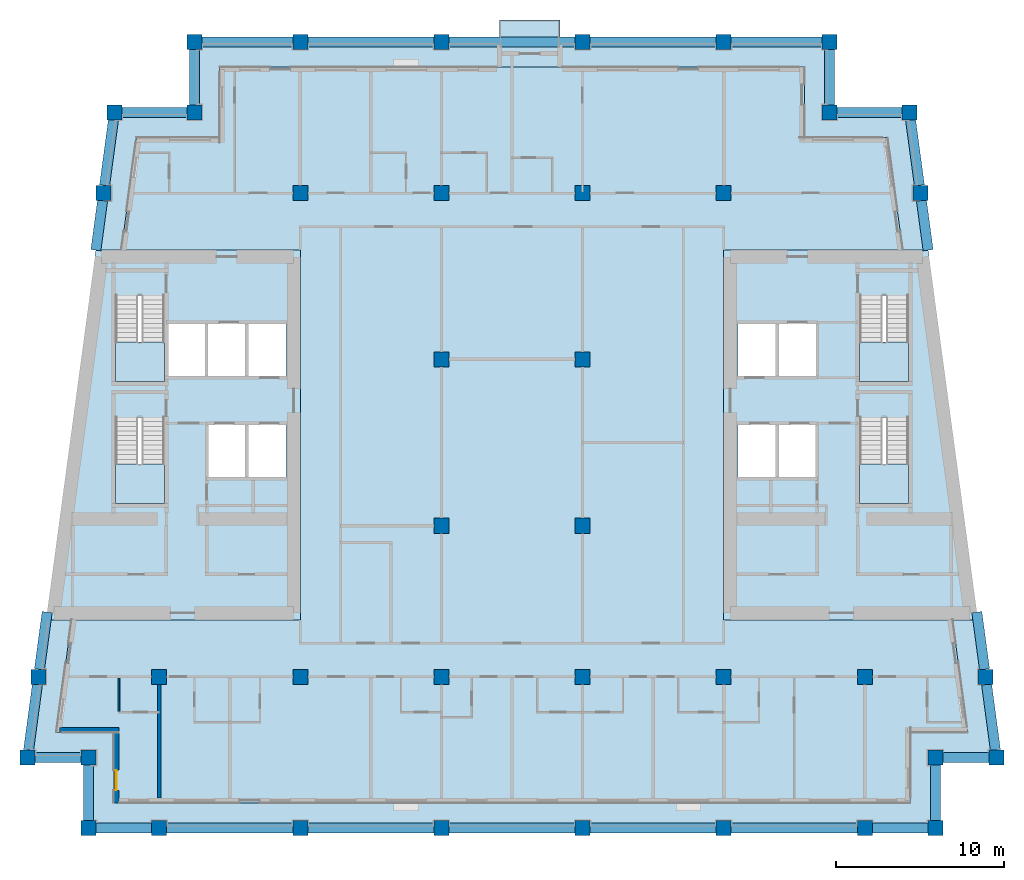
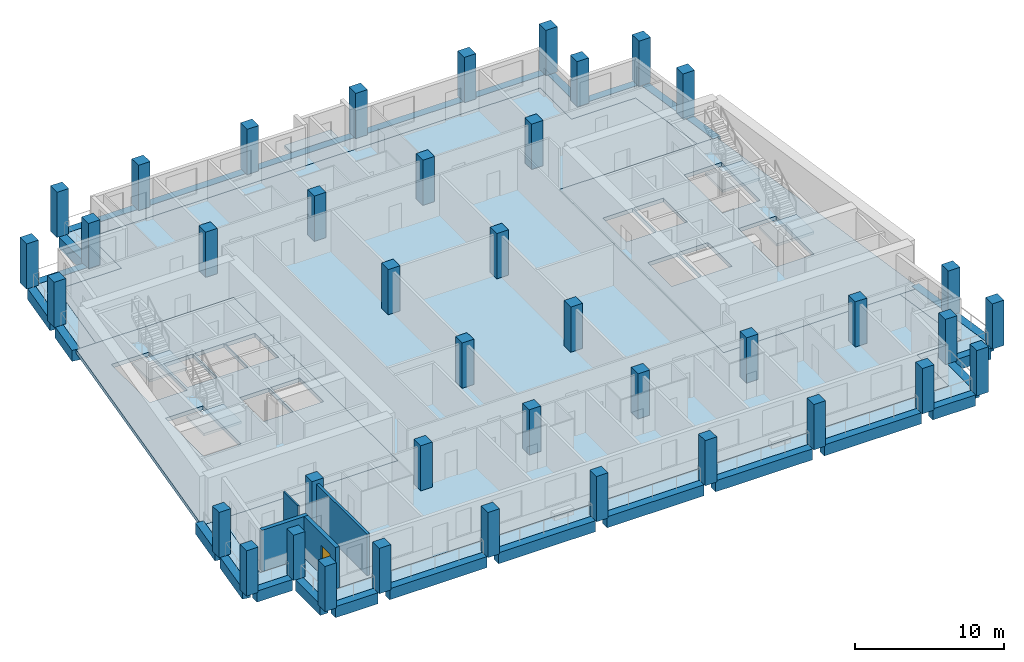
# One storey, part 1 of 12: 40 columns, 28 beams, 10 slabs, 4 walls, 1 door, 1 opening, 4 elements without a shape of their own.
"""IFC4 building model written with IfcOpenShell, lengths in metres."""

from ifc_helpers import new_model, si_unit, direction, frame, frame_2d, origin, origin_2d, place, context, subcontext, project, spatial, polyline, rectangle, outline, extrude, material, layer, layer_set, material_profile, profile_set, type_object, element, fill, aggregate, save


model = new_model("IFC4")

# Units and contexts
model_context = context("Model", 3, precision=1e-05, world=origin(), true_north=direction((0.0, 1.0)))
body_context = subcontext(model_context, "Body", "Model", "MODEL_VIEW")
ifc_project = project(units=[si_unit("LENGTHUNIT", "METRE"), si_unit("AREAUNIT", "SQUARE_METRE"), si_unit("VOLUMEUNIT", "CUBIC_METRE"), si_unit("PLANEANGLEUNIT", "RADIAN"), si_unit("MASSUNIT", "GRAM", prefix="KILO")], contexts=[model_context])

# Site, building, storey
site_placement = place(None, origin())
site = spatial("IfcSite", under=ifc_project, at=site_placement, CompositionType="ELEMENT")
building_placement = place(site_placement, origin())
building = spatial("IfcBuilding", under=site, at=building_placement, Name="Candeia Pilgrim Tower and Theatre", CompositionType="ELEMENT")
storey_placement = place(building_placement, frame((0.0, 0.0, 213.300048828125)))
storey = spatial("IfcBuildingStorey", under=building, at=storey_placement, Name="L51", CompositionType="ELEMENT", Elevation=213.300048828125)

# Columns
ifc_material_1 = material(Name="Concrete C50/60", Category="concrete")
ifc_material_profile_1 = material_profile(ifc_material_1, rectangle(XDim=0.89990234375, YDim=0.89990234375, at=origin_2d()))
ifc_profile_set_1 = profile_set([ifc_material_profile_1], Name="Concrete C50/60")
column_type = type_object("IfcColumnType", Name="RC 900x900 C50/60", PredefinedType="COLUMN", material=ifc_profile_set_1)
for number, where, z_axis, x_axis, name in (
    (1, (92.39990234375, 98.0, 0.0), (0.0, 0.0, 1.0), (1.0, 0.0, 0.0), "Column A1"),
    (2, (100.800048828125, 98.0, 0.0), (0.0, 0.0, 1.0), (1.0, 0.0, 0.0), "Column A2"),
    (3, (109.199951171875, 98.0, 0.0), (0.0, 0.0, 1.0), (1.0, 0.0, 0.0), "Column A3"),
    (4, (117.60009765625, 98.0, 0.0), (0.0, 0.0, 1.0), (1.0, 0.0, 0.0), "Column A4"),
    (5, (126.0, 98.0, 0.0), (0.0, 0.0, 1.0), (1.0, 0.0, 0.0), "Column A5"),
    (6, (134.39990234375, 98.0, 0.0), (0.0, 0.0, 1.0), (1.0, 0.0, 0.0), "Column A6"),
    (7, (88.199951171875, 98.0, 0.0), (0.0, 0.0, 1.0), (1.0, 0.0, 0.0), "Column AW"),
    (8, (138.60009765625, 98.0, 0.0), (0.0, 0.0, 1.0), (1.0, 0.0, 0.0), "Column AE"),
    (9, (88.199951171875, 102.199951171875, 0.0), (0.0, 0.0, 1.0), (1.0, 0.0, 0.0), "Column NSW"),
    (10, (138.60009765625, 102.199951171875, 0.0), (0.0, 0.0, 1.0), (1.0, 0.0, 0.0), "Column NSE"),
    (11, (94.5, 140.60009765625, 0.0), (0.0, 0.0, 1.0), (1.0, 0.0, 0.0), "Column NNW"),
    (12, (132.300048828125, 140.60009765625, 0.0), (0.0, 0.0, 1.0), (1.0, 0.0, 0.0), "Column NNE"),
    (13, (84.5654296875, 102.199951171875, 0.0), (0.0, 0.0, 1.0), (1.0, 0.0, 0.0), "Column LSW"),
    (14, (142.234619140625, 102.199951171875, 0.0), (0.0, 0.0, 1.0), (1.0, 0.0, 0.0), "Column LSE"),
    (15, (89.734619140625, 140.60009765625, 0.0), (0.0, 0.0, 1.0), (1.0, 0.0, 0.0), "Column LNW"),
    (16, (137.0654296875, 140.60009765625, 0.0), (0.0, 0.0, 1.0), (1.0, 0.0, 0.0), "Column LNE"),
    (17, (92.39990234375, 107.0, 0.0), (0.0, 0.0, 1.0), (1.0, 0.0, 0.0), "Column B1"),
    (18, (100.800048828125, 107.0, 0.0), (0.0, 0.0, 1.0), (1.0, 0.0, 0.0), "Column B2"),
    (19, (109.199951171875, 107.0, 0.0), (0.0, 0.0, 1.0), (1.0, 0.0, 0.0), "Column B3"),
    (20, (117.60009765625, 107.0, 0.0), (0.0, 0.0, 1.0), (1.0, 0.0, 0.0), "Column B4"),
    (21, (126.0, 107.0, 0.0), (0.0, 0.0, 1.0), (1.0, 0.0, 0.0), "Column B5"),
    (22, (134.39990234375, 107.0, 0.0), (0.0, 0.0, 1.0), (1.0, 0.0, 0.0), "Column B6"),
    (23, (85.21142578125, 107.0, 0.0), (0.0, 0.0, 1.0), (1.0, 0.0, 0.0), "Column BW"),
    (24, (141.58837890625, 107.0, 0.0), (0.0, 0.0, 1.0), (1.0, 0.0, 0.0), "Column BE"),
    (25, (109.199951171875, 116.0, 0.0), (0.0, 0.0, 1.0), (1.0, 0.0, 0.0), "Column C3"),
    (26, (117.60009765625, 116.0, 0.0), (0.0, 0.0, 1.0), (1.0, 0.0, 0.0), "Column C4"),
    (27, (109.199951171875, 125.89990234375, 0.0), (0.0, 0.0, 1.0), (1.0, 0.0, 0.0), "Column D3"),
    (28, (117.60009765625, 125.89990234375, 0.0), (0.0, 0.0, 1.0), (1.0, 0.0, 0.0), "Column D4"),
    (29, (100.800048828125, 135.800048828125, 0.0), (0.0, 0.0, 1.0), (1.0, 0.0, 0.0), "Column E2"),
    (30, (109.199951171875, 135.800048828125, 0.0), (0.0, 0.0, 1.0), (1.0, 0.0, 0.0), "Column E3"),
    (31, (117.60009765625, 135.800048828125, 0.0), (0.0, 0.0, 1.0), (1.0, 0.0, 0.0), "Column E4"),
    (32, (126.0, 135.800048828125, 0.0), (0.0, 0.0, 1.0), (1.0, 0.0, 0.0), "Column E5"),
    (33, (89.08837890625, 135.800048828125, 0.0), (0.0, 0.0, 1.0), (1.0, 0.0, 0.0), "Column EW"),
    (34, (137.71142578125, 135.800048828125, 0.0), (0.0, 0.0, 1.0), (1.0, 0.0, 0.0), "Column EE"),
    (35, (100.800048828125, 144.800048828125, 0.0), (0.0, 0.0, 1.0), (1.0, 0.0, 0.0), "Column F2"),
    (36, (109.199951171875, 144.800048828125, 0.0), (0.0, 0.0, 1.0), (1.0, 0.0, 0.0), "Column F3"),
    (37, (117.60009765625, 144.800048828125, 0.0), (0.0, 0.0, 1.0), (1.0, 0.0, 0.0), "Column F4"),
    (38, (126.0, 144.800048828125, 0.0), (0.0, 0.0, 1.0), (1.0, 0.0, 0.0), "Column F5"),
    (39, (94.5, 144.800048828125, 0.0), (0.0, 0.0, 1.0), (1.0, 0.0, 0.0), "Column FW"),
    (40, (132.300048828125, 144.800048828125, 0.0), (0.0, 0.0, 1.0), (1.0, 0.0, 0.0), "Column FE"),
):
    element("IfcColumn", number, at=place(storey_placement, frame(where, z_axis=z_axis, x_axis=x_axis)), inside=storey, type_object=column_type, Name=name, PredefinedType="COLUMN", context=body_context, shape_type="SweptSolid", body=[
        extrude(rectangle(XDim=0.89990234375, YDim=0.89990234375, at=origin_2d()), origin(), (0.0, 0.0, 1.0), 3.699951171875),
    ])

# Beams
ifc_material_profile_2 = material_profile(ifc_material_1, rectangle(XDim=0.60009765625, YDim=0.89990234375, at=origin_2d()))
ifc_profile_set_2 = profile_set([ifc_material_profile_2], Name="Concrete C50/60")
beam_type = type_object("IfcBeamType", Name="RC 600x900 C50/60", PredefinedType="BEAM", material=ifc_profile_set_2)
beam_1_placement = place(storey_placement, frame((88.64990234375, 98.0, -0.449951171875), z_axis=(1.0, 0.0, 0.0), x_axis=(0.0, 1.0, 0.0)))
element("IfcBeam", 41, at=beam_1_placement, inside=storey, type_object=beam_type, Name="Spandrel beam L51-01", PredefinedType="BEAM", context=body_context, shape_type="SweptSolid", body=[
    extrude(rectangle(XDim=0.60009765625, YDim=0.89990234375, at=origin_2d()), origin(), (0.0, 0.0, 1.0), 3.300048828125),
])
for number, where, z_axis, x_axis, name in (
    (42, (92.85009765625, 98.0, -0.449951171875), (1.0, 0.0, 0.0), (0.0, 1.0, 0.0), "Spandrel beam L51-02"),
    (43, (101.25, 98.0, -0.449951171875), (1.0, 0.0, 0.0), (0.0, 1.0, 0.0), "Spandrel beam L51-03"),
    (44, (109.64990234375, 98.0, -0.449951171875), (1.0, 0.0, 0.0), (0.0, 1.0, 0.0), "Spandrel beam L51-04"),
    (45, (118.050048828125, 98.0, -0.449951171875), (1.0, 0.0, 0.0), (0.0, 1.0, 0.0), "Spandrel beam L51-05"),
    (46, (126.449951171875, 98.0, -0.449951171875), (1.0, 0.0, 0.0), (0.0, 1.0, 0.0), "Spandrel beam L51-06"),
):
    element("IfcBeam", number, at=place(storey_placement, frame(where, z_axis=z_axis, x_axis=x_axis)), inside=storey, type_object=beam_type, Name=name, PredefinedType="BEAM", context=body_context, shape_type="SweptSolid", body=[
        extrude(rectangle(XDim=0.60009765625, YDim=0.89990234375, at=origin_2d()), origin(), (0.0, 0.0, 1.0), 7.5),
    ])
beam_2_placement = place(storey_placement, frame((134.85009765625, 98.0, -0.449951171875), z_axis=(1.0, 0.0, 0.0), x_axis=(0.0, 1.0, 0.0)))
element("IfcBeam", 47, at=beam_2_placement, inside=storey, type_object=beam_type, Name="Spandrel beam L51-07", PredefinedType="BEAM", context=body_context, shape_type="SweptSolid", body=[
    extrude(rectangle(XDim=0.60009765625, YDim=0.89990234375, at=origin_2d()), origin(), (0.0, 0.0, 1.0), 3.2998046875),
])
beam_3_placement = place(storey_placement, frame((138.60009765625, 98.449951171875, -0.449951171875), z_axis=(0.0, 1.0, 0.0), x_axis=(-1.0, 0.0, 0.0)))
element("IfcBeam", 48, at=beam_3_placement, inside=storey, type_object=beam_type, Name="Spandrel beam L51-08", PredefinedType="BEAM", context=body_context, shape_type="SweptSolid", body=[
    extrude(rectangle(XDim=0.60009765625, YDim=0.89990234375, at=origin_2d()), origin(), (0.0, 0.0, 1.0), 3.300048828125),
])
beam_4_placement = place(storey_placement, frame((139.050048828125, 102.199951171875, -0.449951171875), z_axis=(1.0, 0.0, 0.0), x_axis=(0.0, 1.0, 0.0)))
element("IfcBeam", 49, at=beam_4_placement, inside=storey, type_object=beam_type, Name="Spandrel beam L51-09", PredefinedType="BEAM", context=body_context, shape_type="SweptSolid", body=[
    extrude(rectangle(XDim=0.60009765625, YDim=0.89990234375, at=origin_2d()), origin(), (0.0, 0.0, 1.0), 2.734619140625),
])
beam_5_placement = place(storey_placement, frame((142.174072265625, 102.64990234375, -0.449951171875), z_axis=(-0.133443650757, 0.991056402064, 0.0), x_axis=(-0.991056402064, -0.133443650757, 0.0)))
element("IfcBeam", 50, at=beam_5_placement, inside=storey, type_object=beam_type, Name="Spandrel beam L51-10", PredefinedType="BEAM", context=body_context, shape_type="SweptSolid", body=[
    extrude(rectangle(XDim=0.60009765625, YDim=0.89990234375, at=origin_2d()), origin(), (0.0, 0.0, 1.0), 3.935302734375),
])
beam_6_placement = place(storey_placement, frame((141.52783203125, 107.449951171875, -0.449951171875), z_axis=(-0.133374411439, 0.99106572253, 0.0), x_axis=(-0.99106572253, -0.133374411439, 0.0)))
element("IfcBeam", 51, at=beam_6_placement, inside=storey, type_object=beam_type, Name="Spandrel beam L51-11", PredefinedType="BEAM", context=body_context, shape_type="SweptSolid", body=[
    extrude(rectangle(XDim=0.60009765625, YDim=0.89990234375, at=origin_2d()), origin(), (0.0, 0.0, 1.0), 3.43408203125),
])
beam_7_placement = place(storey_placement, frame((138.169189453125, 132.39990234375, -0.449951171875), z_axis=(-0.133356242983, 0.991068167412, 0.0), x_axis=(-0.991068167412, -0.133356242983, 0.0)))
element("IfcBeam", 52, at=beam_7_placement, inside=storey, type_object=beam_type, Name="Spandrel beam L51-12", PredefinedType="BEAM", context=body_context, shape_type="SweptSolid", body=[
    extrude(rectangle(XDim=0.60009765625, YDim=0.89990234375, at=origin_2d()), origin(), (0.0, 0.0, 1.0), 2.976806640625),
])
beam_8_placement = place(storey_placement, frame((137.65087890625, 136.25, -0.449951171875), z_axis=(-0.133390918184, 0.991063500965, 0.0), x_axis=(-0.991063500965, -0.133390918184, 0.0)))
element("IfcBeam", 53, at=beam_8_placement, inside=storey, type_object=beam_type, Name="Spandrel beam L51-13", PredefinedType="BEAM", context=body_context, shape_type="SweptSolid", body=[
    extrude(rectangle(XDim=0.60009765625, YDim=0.89990234375, at=origin_2d()), origin(), (0.0, 0.0, 1.0), 3.93505859375),
])
beam_9_placement = place(storey_placement, frame((136.615478515625, 140.60009765625, -0.449951171875), z_axis=(-1.0, 0.0, 0.0), x_axis=(0.0, -1.0, 0.0)))
element("IfcBeam", 54, at=beam_9_placement, inside=storey, type_object=beam_type, Name="Spandrel beam L51-14", PredefinedType="BEAM", context=body_context, shape_type="SweptSolid", body=[
    extrude(rectangle(XDim=0.60009765625, YDim=0.89990234375, at=origin_2d()), origin(), (0.0, 0.0, 1.0), 3.865478515625),
])
beam_10_placement = place(storey_placement, frame((132.300048828125, 141.050048828125, -0.449951171875), z_axis=(0.0, 1.0, 0.0), x_axis=(-1.0, 0.0, 0.0)))
element("IfcBeam", 55, at=beam_10_placement, inside=storey, type_object=beam_type, Name="Spandrel beam L51-15", PredefinedType="BEAM", context=body_context, shape_type="SweptSolid", body=[
    extrude(rectangle(XDim=0.60009765625, YDim=0.89990234375, at=origin_2d()), origin(), (0.0, 0.0, 1.0), 3.300048828125),
])
beam_11_placement = place(storey_placement, frame((131.85009765625, 144.800048828125, -0.449951171875), z_axis=(-1.0, 0.0, 0.0), x_axis=(0.0, -1.0, 0.0)))
element("IfcBeam", 56, at=beam_11_placement, inside=storey, type_object=beam_type, Name="Spandrel beam L51-16", PredefinedType="BEAM", context=body_context, shape_type="SweptSolid", body=[
    extrude(rectangle(XDim=0.60009765625, YDim=0.89990234375, at=origin_2d()), origin(), (0.0, 0.0, 1.0), 5.400146484375),
])
for number, where, z_axis, x_axis, name in (
    (57, (125.550048828125, 144.800048828125, -0.449951171875), (-1.0, 0.0, 0.0), (0.0, -1.0, 0.0), "Spandrel beam L51-17"),
    (58, (117.14990234375, 144.800048828125, -0.449951171875), (-1.0, 0.0, 0.0), (0.0, -1.0, 0.0), "Spandrel beam L51-18"),
    (59, (108.75, 144.800048828125, -0.449951171875), (-1.0, 0.0, 0.0), (0.0, -1.0, 0.0), "Spandrel beam L51-19"),
):
    element("IfcBeam", number, at=place(storey_placement, frame(where, z_axis=z_axis, x_axis=x_axis)), inside=storey, type_object=beam_type, Name=name, PredefinedType="BEAM", context=body_context, shape_type="SweptSolid", body=[
        extrude(rectangle(XDim=0.60009765625, YDim=0.89990234375, at=origin_2d()), origin(), (0.0, 0.0, 1.0), 7.5),
    ])
beam_12_placement = place(storey_placement, frame((100.35009765625, 144.800048828125, -0.449951171875), z_axis=(-1.0, 0.0, 0.0), x_axis=(0.0, -1.0, 0.0)))
element("IfcBeam", 60, at=beam_12_placement, inside=storey, type_object=beam_type, Name="Spandrel beam L51-20", PredefinedType="BEAM", context=body_context, shape_type="SweptSolid", body=[
    extrude(rectangle(XDim=0.60009765625, YDim=0.89990234375, at=origin_2d()), origin(), (0.0, 0.0, 1.0), 5.400146484375),
])
beam_13_placement = place(storey_placement, frame((94.5, 144.35009765625, -0.449951171875), z_axis=(0.0, -1.0, 0.0), x_axis=(1.0, 0.0, 0.0)))
element("IfcBeam", 61, at=beam_13_placement, inside=storey, type_object=beam_type, Name="Spandrel beam L51-21", PredefinedType="BEAM", context=body_context, shape_type="SweptSolid", body=[
    extrude(rectangle(XDim=0.60009765625, YDim=0.89990234375, at=origin_2d()), origin(), (0.0, 0.0, 1.0), 3.300048828125),
])
beam_14_placement = place(storey_placement, frame((94.050048828125, 140.60009765625, -0.449951171875), z_axis=(-1.0, 0.0, 0.0), x_axis=(0.0, -1.0, 0.0)))
element("IfcBeam", 62, at=beam_14_placement, inside=storey, type_object=beam_type, Name="Spandrel beam L51-22", PredefinedType="BEAM", context=body_context, shape_type="SweptSolid", body=[
    extrude(rectangle(XDim=0.60009765625, YDim=0.89990234375, at=origin_2d()), origin(), (0.0, 0.0, 1.0), 3.865478515625),
])
beam_15_placement = place(storey_placement, frame((89.674072265625, 140.14990234375, -0.449951171875), z_axis=(-0.133451855788, -0.99105529724, 0.0), x_axis=(0.99105529724, -0.133451855788, 0.0)))
element("IfcBeam", 63, at=beam_15_placement, inside=storey, type_object=beam_type, Name="Spandrel beam L51-23", PredefinedType="BEAM", context=body_context, shape_type="SweptSolid", body=[
    extrude(rectangle(XDim=0.60009765625, YDim=0.89990234375, at=origin_2d()), origin(), (0.0, 0.0, 1.0), 3.93505859375),
])
beam_16_placement = place(storey_placement, frame((89.02783203125, 135.35009765625, -0.449951171875), z_axis=(-0.133356242983, -0.991068167412, 0.0), x_axis=(0.991068167412, -0.133356242983, 0.0)))
element("IfcBeam", 64, at=beam_16_placement, inside=storey, type_object=beam_type, Name="Spandrel beam L51-24", PredefinedType="BEAM", context=body_context, shape_type="SweptSolid", body=[
    extrude(rectangle(XDim=0.60009765625, YDim=0.89990234375, at=origin_2d()), origin(), (0.0, 0.0, 1.0), 2.976806640625),
])
beam_17_placement = place(storey_placement, frame((85.730224609375, 110.853271484375, -0.449951171875), z_axis=(-0.133374411439, -0.99106572253, 0.0), x_axis=(0.99106572253, -0.133374411439, 0.0)))
element("IfcBeam", 65, at=beam_17_placement, inside=storey, type_object=beam_type, Name="Spandrel beam L51-25", PredefinedType="BEAM", context=body_context, shape_type="SweptSolid", body=[
    extrude(rectangle(XDim=0.60009765625, YDim=0.89990234375, at=origin_2d()), origin(), (0.0, 0.0, 1.0), 3.43408203125),
])
beam_18_placement = place(storey_placement, frame((85.15087890625, 106.550048828125, -0.449951171875), z_axis=(-0.133382716764, -0.991064604791, 0.0), x_axis=(0.991064604791, -0.133382716764, 0.0)))
element("IfcBeam", 66, at=beam_18_placement, inside=storey, type_object=beam_type, Name="Spandrel beam L51-26", PredefinedType="BEAM", context=body_context, shape_type="SweptSolid", body=[
    extrude(rectangle(XDim=0.60009765625, YDim=0.89990234375, at=origin_2d()), origin(), (0.0, 0.0, 1.0), 3.935302734375),
])
beam_19_placement = place(storey_placement, frame((85.015380859375, 102.199951171875, -0.449951171875), z_axis=(1.0, 0.0, 0.0), x_axis=(0.0, 1.0, 0.0)))
element("IfcBeam", 67, at=beam_19_placement, inside=storey, type_object=beam_type, Name="Spandrel beam L51-27", PredefinedType="BEAM", context=body_context, shape_type="SweptSolid", body=[
    extrude(rectangle(XDim=0.60009765625, YDim=0.89990234375, at=origin_2d()), origin(), (0.0, 0.0, 1.0), 2.734619140625),
])
beam_20_placement = place(storey_placement, frame((88.199951171875, 101.75, -0.449951171875), z_axis=(0.0, -1.0, 0.0), x_axis=(1.0, 0.0, 0.0)))
element("IfcBeam", 68, at=beam_20_placement, inside=storey, type_object=beam_type, Name="Spandrel beam L51-28", PredefinedType="BEAM", context=body_context, shape_type="SweptSolid", body=[
    extrude(rectangle(XDim=0.60009765625, YDim=0.89990234375, at=origin_2d()), origin(), (0.0, 0.0, 1.0), 3.300048828125),
])

# Slabs
ifc_material_2 = material(Name="Concrete C40/50", Category="concrete")
ifc_layer_1 = layer(ifc_material_2, 0.25)
ifc_layer_set_1 = layer_set([ifc_layer_1], Name="BK1 balcony slab 250")
slab_type_1 = type_object("IfcSlabType", Name="BK1 balcony slab 250", PredefinedType="USERDEFINED", material=ifc_layer_set_1)
slab_1_placement = place(storey_placement, frame((0.0, 0.0, -0.25)))
element("IfcSlab", 69, at=slab_1_placement, inside=storey, type_object=slab_type_1, Name="Balcony L51", ObjectType="BALCONY", PredefinedType="USERDEFINED", context=body_context, shape_type="SweptSolid", body=[
    extrude(outline(polyline([(112.64990234375, 144.5), (116.25, 144.5), (116.25, 146.10009765625), (112.64990234375, 146.10009765625), (112.64990234375, 144.5)])), origin(), (0.0, 0.0, 1.0), 0.25),
])
ifc_material_3 = material(Name="Concrete C60/75", Category="concrete")
ifc_layer_2 = layer(ifc_material_3, 0.320068359375)
ifc_layer_set_2 = layer_set([ifc_layer_2], Name="FS-CORE 320 core floor")
slab_type_2 = type_object("IfcSlabType", Name="FS-CORE 320 core floor", PredefinedType="FLOOR", material=ifc_layer_set_2)
slab_2_placement = place(storey_placement, frame((0.0, 0.0, -0.320068359375)))
element("IfcSlab", 70, at=slab_2_placement, inside=storey, type_object=slab_type_2, Name="Core floor W L51", PredefinedType="FLOOR", context=body_context, shape_type="SweptSolid", body=[
    extrude(outline(polyline([(100.800048828125, 132.39990234375), (100.800048828125, 110.39990234375), (85.669189453125, 110.39990234375), (88.630859375, 132.39990234375), (100.800048828125, 132.39990234375)]), holes=[polyline([(97.658935546875, 128.050048828125), (97.658935546875, 124.85009765625), (99.949951171875, 124.85009765625), (99.949951171875, 128.050048828125), (97.658935546875, 128.050048828125)]), polyline([(97.66357421875, 122.050048828125), (97.66357421875, 118.85009765625), (99.949951171875, 118.85009765625), (99.949951171875, 122.050048828125), (97.66357421875, 122.050048828125)]), polyline([(95.277099609375, 122.050048828125), (95.277099609375, 118.85009765625), (97.5634765625, 118.85009765625), (97.5634765625, 122.050048828125), (95.277099609375, 122.050048828125)]), polyline([(95.26806640625, 128.050048828125), (95.26806640625, 124.85009765625), (97.55908203125, 124.85009765625), (97.55908203125, 128.050048828125), (95.26806640625, 128.050048828125)]), polyline([(92.876953125, 128.050048828125), (92.876953125, 124.85009765625), (95.16796875, 124.85009765625), (95.16796875, 128.050048828125), (92.876953125, 128.050048828125)]), polyline([(89.802001953125, 117.324951171875), (92.701904296875, 117.324951171875), (92.701904296875, 122.455078125), (89.802001953125, 122.455078125), (89.802001953125, 117.324951171875)]), polyline([(89.802001953125, 129.705078125), (89.802001953125, 124.574951171875), (92.701904296875, 124.574951171875), (92.701904296875, 129.705078125), (89.802001953125, 129.705078125)])]), origin(), (0.0, 0.0, 1.0), 0.320068359375),
])
slab_3_placement = place(storey_placement, frame((0.0, 0.0, -0.320068359375)))
element("IfcSlab", 71, at=slab_3_placement, inside=storey, type_object=slab_type_2, Name="Core floor E L51", PredefinedType="FLOOR", context=body_context, shape_type="SweptSolid", body=[
    extrude(outline(polyline([(138.169189453125, 132.39990234375), (141.130859375, 110.39990234375), (126.0, 110.39990234375), (126.0, 132.39990234375), (138.169189453125, 132.39990234375)]), holes=[polyline([(134.097900390625, 117.324951171875), (136.998046875, 117.324951171875), (136.998046875, 122.455078125), (134.097900390625, 122.455078125), (134.097900390625, 117.324951171875)]), polyline([(134.097900390625, 129.705078125), (134.097900390625, 124.574951171875), (136.998046875, 124.574951171875), (136.998046875, 129.705078125), (134.097900390625, 129.705078125)]), polyline([(131.531982421875, 128.050048828125), (129.240966796875, 128.050048828125), (129.240966796875, 124.85009765625), (131.531982421875, 124.85009765625), (131.531982421875, 128.050048828125)]), polyline([(131.52294921875, 122.050048828125), (129.236572265625, 122.050048828125), (129.236572265625, 118.85009765625), (131.52294921875, 118.85009765625), (131.52294921875, 122.050048828125)]), polyline([(126.85009765625, 128.050048828125), (126.85009765625, 124.85009765625), (129.14111328125, 124.85009765625), (129.14111328125, 128.050048828125), (126.85009765625, 128.050048828125)]), polyline([(129.136474609375, 122.050048828125), (126.85009765625, 122.050048828125), (126.85009765625, 118.85009765625), (129.136474609375, 118.85009765625), (129.136474609375, 122.050048828125)])]), origin(), (0.0, 0.0, 1.0), 0.320068359375),
])
ifc_layer_3 = layer(ifc_material_1, 0.320068359375)
ifc_layer_set_3 = layer_set([ifc_layer_3], Name="Floor slab 320 C50/60")
slab_type_3 = type_object("IfcSlabType", Name="Floor slab 320 C50/60", PredefinedType="FLOOR", material=ifc_layer_set_3)
slab_4_placement = place(storey_placement, frame((0.0, 0.0, -0.320068359375)))
element("IfcSlab", 72, at=slab_4_placement, inside=storey, type_object=slab_type_3, Name="Floor slab L51", PredefinedType="FLOOR", context=body_context, shape_type="SweptSolid", body=[
    extrude(outline(polyline([(96.0, 139.10009765625), (96.0, 143.300048828125), (130.800048828125, 143.300048828125), (130.800048828125, 139.10009765625), (135.753662109375, 139.10009765625), (136.65576171875, 132.39990234375), (126.0, 132.39990234375), (126.0, 110.39990234375), (139.6171875, 110.39990234375), (140.51904296875, 103.699951171875), (137.10009765625, 103.699951171875), (137.10009765625, 99.5), (89.699951171875, 99.5), (89.699951171875, 103.699951171875), (86.28076171875, 103.699951171875), (87.182861328125, 110.39990234375), (100.800048828125, 110.39990234375), (100.800048828125, 132.39990234375), (90.144287109375, 132.39990234375), (91.046142578125, 139.10009765625), (96.0, 139.10009765625)])), origin(), (0.0, 0.0, 1.0), 0.320068359375),
])
ifc_layer_4 = layer(ifc_material_2, 0.25)
ifc_layer_set_4 = layer_set([ifc_layer_4], Name="Loggia slab 250 C40/50")
slab_type_4 = type_object("IfcSlabType", Name="Loggia slab 250 C40/50", PredefinedType="FLOOR", material=ifc_layer_set_4)
slab_5_placement = place(storey_placement, frame((0.0, 0.0, -0.25)))
element("IfcSlab", 73, at=slab_5_placement, inside=storey, type_object=slab_type_4, Name="Loggia slab L51 1", PredefinedType="FLOOR", context=body_context, shape_type="SweptSolid", body=[
    extrude(outline(polyline([(87.182861328125, 110.39990234375), (86.28076171875, 103.699951171875), (89.699951171875, 103.699951171875), (89.699951171875, 99.5), (137.10009765625, 99.5), (137.10009765625, 103.699951171875), (140.51904296875, 103.699951171875), (139.6171875, 110.39990234375), (140.828125, 110.39990234375), (141.8916015625, 102.5), (138.300048828125, 102.5), (138.300048828125, 98.300048828125), (88.5, 98.300048828125), (88.5, 102.5), (84.908447265625, 102.5), (85.971923828125, 110.39990234375), (87.182861328125, 110.39990234375)])), origin(), (0.0, 0.0, 1.0), 0.25),
])
slab_6_placement = place(storey_placement, frame((0.0, 0.0, -0.25)))
element("IfcSlab", 74, at=slab_6_placement, inside=storey, type_object=slab_type_4, Name="Loggia slab L51 2", PredefinedType="FLOOR", context=body_context, shape_type="SweptSolid", body=[
    extrude(outline(polyline([(136.65576171875, 132.39990234375), (135.753662109375, 139.10009765625), (130.800048828125, 139.10009765625), (130.800048828125, 143.300048828125), (96.0, 143.300048828125), (96.0, 139.10009765625), (91.046142578125, 139.10009765625), (90.144287109375, 132.39990234375), (88.93359375, 132.39990234375), (89.996826171875, 140.300048828125), (94.800048828125, 140.300048828125), (94.800048828125, 144.5), (132.0, 144.5), (132.0, 140.300048828125), (136.802978515625, 140.300048828125), (137.866455078125, 132.39990234375), (136.65576171875, 132.39990234375)])), origin(), (0.0, 0.0, 1.0), 0.25),
])

# Stair, slab
stair_type = type_object("IfcStairType", Name="ST-TWR dog-leg escape stair", PredefinedType="HALF_TURN_STAIR", material=ifc_material_2)
stair_1_placement = place(storey_placement, origin())
stair_1 = element("IfcStair", 75, at=stair_1_placement, inside=storey, type_object=stair_type, Name="L51 Escape stair ST1", PredefinedType="HALF_TURN_STAIR")
ifc_layer_5 = layer(ifc_material_2, 0.199951171875)
ifc_layer_set_5 = layer_set([ifc_layer_5], Name="SL-LANDING stair landing")
slab_type_5 = type_object("IfcSlabType", Name="SL-LANDING stair landing", PredefinedType="LANDING", material=ifc_layer_set_5)
slab_7_placement = place(storey_placement, frame((0.0, 0.0, 1.64990234375)))
slab_7 = element("IfcSlab", 76, at=slab_7_placement, type_object=slab_type_5, Name="ST1 landing 1", PredefinedType="LANDING", context=body_context, shape_type="SweptSolid", body=[
    extrude(outline(polyline([(89.802001953125, 119.675048828125), (89.802001953125, 117.324951171875), (92.701904296875, 117.324951171875), (92.701904296875, 119.675048828125), (89.802001953125, 119.675048828125)])), origin(), (0.0, 0.0, 1.0), 0.199951171875),
])
aggregate(stair_1, [slab_7])

stair_2_placement = place(storey_placement, origin())
stair_2 = element("IfcStair", 77, at=stair_2_placement, inside=storey, type_object=stair_type, Name="L51 Escape stair ST2", PredefinedType="HALF_TURN_STAIR")
slab_8_placement = place(storey_placement, frame((0.0, 0.0, 1.64990234375)))
slab_8 = element("IfcSlab", 78, at=slab_8_placement, type_object=slab_type_5, Name="ST2 landing 1", PredefinedType="LANDING", context=body_context, shape_type="SweptSolid", body=[
    extrude(outline(polyline([(89.802001953125, 126.925048828125), (89.802001953125, 124.574951171875), (92.701904296875, 124.574951171875), (92.701904296875, 126.925048828125), (89.802001953125, 126.925048828125)])), origin(), (0.0, 0.0, 1.0), 0.199951171875),
])
aggregate(stair_2, [slab_8])

stair_3_placement = place(storey_placement, origin())
stair_3 = element("IfcStair", 79, at=stair_3_placement, inside=storey, type_object=stair_type, Name="L51 Escape stair ST3", PredefinedType="HALF_TURN_STAIR")
slab_9_placement = place(storey_placement, frame((0.0, 0.0, 1.64990234375)))
slab_9 = element("IfcSlab", 80, at=slab_9_placement, type_object=slab_type_5, Name="ST3 landing 1", PredefinedType="LANDING", context=body_context, shape_type="SweptSolid", body=[
    extrude(outline(polyline([(134.097900390625, 119.675048828125), (134.097900390625, 117.324951171875), (136.998046875, 117.324951171875), (136.998046875, 119.675048828125), (134.097900390625, 119.675048828125)])), origin(), (0.0, 0.0, 1.0), 0.199951171875),
])
aggregate(stair_3, [slab_9])

stair_4_placement = place(storey_placement, origin())
stair_4 = element("IfcStair", 81, at=stair_4_placement, inside=storey, type_object=stair_type, Name="L51 Escape stair ST4", PredefinedType="HALF_TURN_STAIR")
slab_10_placement = place(storey_placement, frame((0.0, 0.0, 1.64990234375)))
slab_10 = element("IfcSlab", 82, at=slab_10_placement, type_object=slab_type_5, Name="ST4 landing 1", PredefinedType="LANDING", context=body_context, shape_type="SweptSolid", body=[
    extrude(outline(polyline([(134.097900390625, 126.925048828125), (134.097900390625, 124.574951171875), (136.998046875, 124.574951171875), (136.998046875, 126.925048828125), (134.097900390625, 126.925048828125)])), origin(), (0.0, 0.0, 1.0), 0.199951171875),
])
aggregate(stair_4, [slab_10])

# Wall
ifc_material_4 = material(Name="Ceramic block masonry", Category="masonry")
ifc_layer_6 = layer(ifc_material_4, 0.300048828125)
ifc_layer_set_6 = layer_set([ifc_layer_6], Name="EW1 glazing-line wall 300")
wall_type_1 = type_object("IfcWallType", Name="EW1 glazing-line wall 300", PredefinedType="SOLIDWALL", material=ifc_layer_set_6)
wall_1_placement = place(storey_placement, frame((86.452392578125, 103.85009765625, 0.0), z_axis=(0.0, 0.0, 1.0), x_axis=(1.0, 0.0, 0.0)))
element("IfcWall", 83, at=wall_1_placement, inside=storey, type_object=wall_type_1, Name="External wall L51-10.0", PredefinedType="SOLIDWALL", context=body_context, shape_type="SweptSolid", body=[
    extrude(rectangle(XDim=3.547607421875, YDim=0.300048828125, at=frame_2d((1.77392578125, 0.0))), origin(), (0.0, 0.0, 1.0), 3.3798828125),
])

# Wall, opening, door
wall_2_placement = place(storey_placement, frame((89.85009765625, 103.85009765625, 0.0), z_axis=(0.0, 0.0, 1.0), x_axis=(0.0, -1.0, 0.0)))
wall_2 = element("IfcWall", 84, at=wall_2_placement, inside=storey, type_object=wall_type_1, Name="External wall L51-11.0", PredefinedType="SOLIDWALL", context=body_context, shape_type="SweptSolid", body=[
    extrude(rectangle(XDim=4.35009765625, YDim=0.300048828125, at=frame_2d((2.175048828125, 0.0))), origin(), (0.0, 0.0, 1.0), 3.3798828125),
])
opening_placement = place(wall_2_placement, frame((2.39990234375, 0.0, 0.0)))
opening = element("IfcOpeningElement", 85, at=opening_placement, cuts=wall_2, Name="Opening L51-ED492", PredefinedType="OPENING", context=body_context, shape_type="SweptSolid", body=[
    extrude(rectangle(XDim=1.199951171875, YDim=2.39990234375, at=frame_2d((0.60009765625, 1.199951171875))), frame((0.0, 0.16015625, 0.0), z_axis=(0.0, -1.0, 0.0), x_axis=(1.0, 0.0, 0.0)), (0.0, 0.0, 1.0), 0.320068359375),
])
ifc_material_5 = material(Name="Aluminium framed glazed door", Category="aluminium")
door_type = type_object("IfcDoorType", Name="Loggia door 1200x2400", OperationType="DOUBLE_DOOR_SINGLE_SWING", PredefinedType="DOOR", material=ifc_material_5)
door_placement = place(opening_placement, origin())
door = element("IfcDoor", 86, at=door_placement, inside=storey, type_object=door_type, Name="Loggia door L51-ED492", OperationType="DOUBLE_DOOR_SINGLE_SWING", OverallHeight=2.39990234375, OverallWidth=1.199951171875, PredefinedType="DOOR", context=body_context, shape_type="SweptSolid", body=[
    extrude(rectangle(XDim=1.199951171875, YDim=2.39990234375, at=frame_2d((0.60009765625, 1.199951171875))), frame((0.0, 0.02490234375, 0.0), z_axis=(0.0, -1.0, 0.0), x_axis=(1.0, 0.0, 0.0)), (0.0, 0.0, 1.0), 0.050048828125),
])
fill(opening, door)

# Walls
ifc_material_6 = material(Name="Gypsum board partition on steel studs", Category="steel")
ifc_layer_7 = layer(ifc_material_6, 0.10009765625)
ifc_layer_set_7 = layer_set([ifc_layer_7], Name="PW-100 room partition")
wall_type_2 = type_object("IfcWallType", Name="PW-100 room partition", PredefinedType="PARTITIONING", material=ifc_layer_set_7)
wall_3_placement = place(storey_placement, frame((90.0, 104.949951171875, 0.0), z_axis=(0.0, 0.0, 1.0), x_axis=(0.0, 1.0, 0.0)))
element("IfcWall", 87, at=wall_3_placement, inside=storey, type_object=wall_type_2, Name="Room partition L51-053", PredefinedType="PARTITIONING", context=body_context, shape_type="SweptSolid", body=[
    extrude(rectangle(XDim=1.97509765625, YDim=0.10009765625, at=frame_2d((0.987548828125, 0.0))), origin(), (0.0, 0.0, 1.0), 3.3798828125),
])
ifc_layer_8 = layer(ifc_material_6, 0.199951171875)
ifc_layer_set_8 = layer_set([ifc_layer_8], Name="PW-200 party wall")
wall_type_3 = type_object("IfcWallType", Name="PW-200 party wall", PredefinedType="PARTITIONING", material=ifc_layer_set_8)
wall_4_placement = place(storey_placement, frame((92.39990234375, 99.7900390625, 0.0), z_axis=(0.0, 0.0, 1.0), x_axis=(0.0, 1.0, 0.0)))
element("IfcWall", 88, at=wall_4_placement, inside=storey, type_object=wall_type_3, Name="Party wall L51-054", PredefinedType="PARTITIONING", context=body_context, shape_type="SweptSolid", body=[
    extrude(rectangle(XDim=7.135009765625, YDim=0.199951171875, at=frame_2d((3.5673828125, 0.0))), origin(), (0.0, 0.0, 1.0), 3.3798828125),
])

save(model, "model.ifc")
